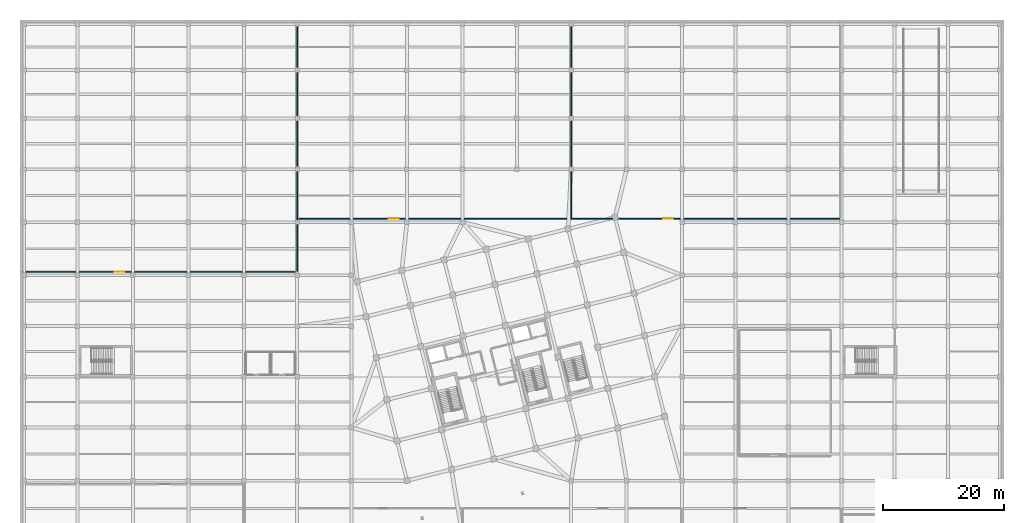
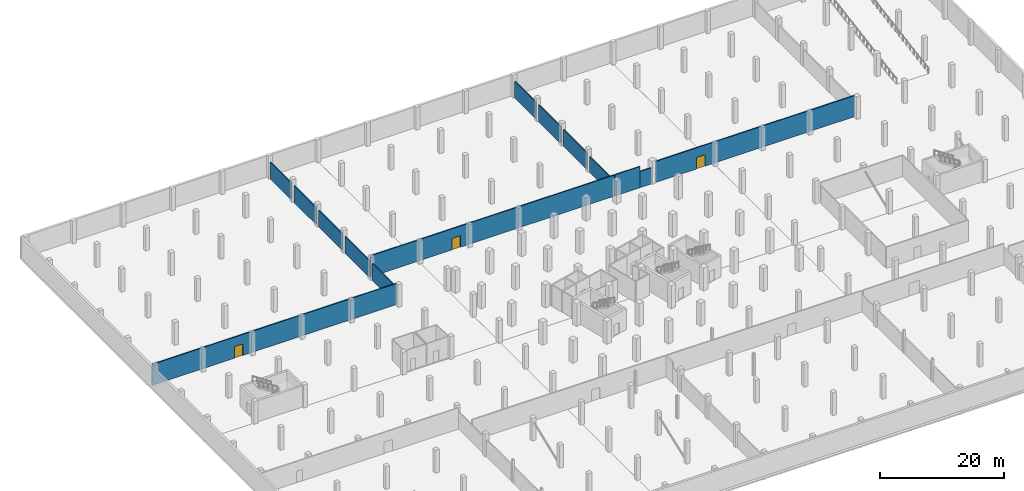
# One storey, part 24 of 31: 14 walls, 3 doors, 3 openings.
"""IFC4 building model written with IfcOpenShell, lengths in metres."""

from ifc_helpers import new_model, si_unit, direction, frame, frame_2d, origin, place, context, subcontext, project, spatial, rectangle, extrude, material, layer, layer_set, type_object, element, fill, save


model = new_model("IFC4")

# Units and contexts
model_context = context("Model", 3, precision=1e-05, world=origin(), true_north=direction((0.0, 1.0)))
body_context = subcontext(model_context, "Body", "Model", "MODEL_VIEW")
ifc_project = project(units=[si_unit("LENGTHUNIT", "METRE"), si_unit("AREAUNIT", "SQUARE_METRE"), si_unit("VOLUMEUNIT", "CUBIC_METRE"), si_unit("PLANEANGLEUNIT", "RADIAN"), si_unit("MASSUNIT", "GRAM", prefix="KILO")], contexts=[model_context])

# Site, building, storey
site_placement = place(None, origin())
site = spatial("IfcSite", under=ifc_project, at=site_placement, CompositionType="ELEMENT")
building_placement = place(site_placement, origin())
building = spatial("IfcBuilding", under=site, at=building_placement, Name="Meriwether Solvik Hall", CompositionType="ELEMENT")
storey_placement = place(building_placement, frame((0.0, 0.0, -4.5)))
storey = spatial("IfcBuildingStorey", under=building, at=storey_placement, Name="B01", CompositionType="ELEMENT", Elevation=-4.5)

# Wall, opening, door
ifc_material_1 = material(Name="Grouted Concrete Masonry Unit Block", Category="masonry")
ifc_layer = layer(ifc_material_1, 0.18994140625)
ifc_layer_set = layer_set([ifc_layer], Name="Grouted Concrete Masonry Unit Block")
wall_type = type_object("IfcWallType", Name="WALL-CMU-190", PredefinedType="STANDARD", material=ifc_layer_set)
wall_1_placement = place(storey_placement, frame((4.919921875, 75.800048828125, 0.0), z_axis=(0.0, 0.0, 1.0), x_axis=(1.0, 0.0, 0.0)))
wall_1 = element("IfcWall", 1, at=wall_1_placement, inside=storey, type_object=wall_type, Name="B01 Interior Partition nw_park_s", PredefinedType="STANDARD", context=body_context, shape_type="SweptSolid", body=[
    extrude(rectangle(XDim=45.47998046875, YDim=0.18994140625, at=frame_2d((22.739990234375, 0.0))), origin(), (0.0, 0.0, 1.0), 4.139892578125),
])
opening_1_placement = place(wall_1_placement, frame((15.248779296875, 0.0, 0.0)))
opening_1 = element("IfcOpeningElement", 2, at=opening_1_placement, cuts=wall_1, Name="Opening D-144", PredefinedType="OPENING", context=body_context, shape_type="SweptSolid", body=[
    extrude(rectangle(XDim=1.60009765625, YDim=2.25, at=frame_2d((0.800048828125, 1.125))), frame((0.0, 0.10693359375, 0.0), z_axis=(0.0, -1.0, 0.0), x_axis=(1.0, 0.0, 0.0)), (0.0, 0.0, 1.0), 0.2138671875),
])
ifc_material_2 = material(Name="Steel A36 Galvanised", Category="steel")
door_type = type_object("IfcDoorType", Name="DR-FD60-1600", OperationType="DOUBLE_DOOR_SINGLE_SWING", PredefinedType="DOOR", material=ifc_material_2)
door_1_placement = place(opening_1_placement, origin())
door_1 = element("IfcDoor", 3, at=door_1_placement, inside=storey, type_object=door_type, Name="Northwest Underground Parking Bay Door", OperationType="DOUBLE_DOOR_SINGLE_SWING", OverallHeight=2.25, OverallWidth=1.60009765625, PredefinedType="DOOR", context=body_context, shape_type="SweptSolid", body=[
    extrude(rectangle(XDim=1.60009765625, YDim=2.25, at=frame_2d((0.800048828125, 1.125))), frame((0.0, 0.02490234375, 0.0), z_axis=(0.0, -1.0, 0.0), x_axis=(1.0, 0.0, 0.0)), (0.0, 0.0, 1.0), 0.050048828125),
])
fill(opening_1, door_1)

# Walls
wall_2_placement = place(storey_placement, frame((50.39990234375, 75.919921875, 0.0), z_axis=(0.0, 0.0, 1.0), x_axis=(0.0, 1.0, 0.0)))
element("IfcWall", 4, at=wall_2_placement, inside=storey, type_object=wall_type, Name="B01 Interior Partition nw_park_e", PredefinedType="STANDARD", context=body_context, shape_type="SweptSolid", body=[
    extrude(rectangle(XDim=7.64013671875, YDim=0.18994140625, at=frame_2d((3.820068359375, 0.0))), origin(), (0.0, 0.0, 1.0), 3.2900390625),
])
wall_3_placement = place(storey_placement, frame((50.39990234375, 84.43994140625, 0.0), z_axis=(0.0, 0.0, 1.0), x_axis=(0.0, 1.0, 0.0)))
element("IfcWall", 5, at=wall_3_placement, inside=storey, type_object=wall_type, Name="B01 Interior Partition nw_park_e_s2", PredefinedType="STANDARD", context=body_context, shape_type="SweptSolid", body=[
    extrude(rectangle(XDim=7.920166015625, YDim=0.18994140625, at=frame_2d((3.9599609375, 0.0))), origin(), (0.0, 0.0, 1.0), 3.2900390625),
])
wall_4_placement = place(storey_placement, frame((50.39990234375, 93.239990234375, 0.0), z_axis=(0.0, 0.0, 1.0), x_axis=(0.0, 1.0, 0.0)))
element("IfcWall", 6, at=wall_4_placement, inside=storey, type_object=wall_type, Name="B01 Interior Partition nw_park_e_s3", PredefinedType="STANDARD", context=body_context, shape_type="SweptSolid", body=[
    extrude(rectangle(XDim=7.52001953125, YDim=0.18994140625, at=frame_2d((3.760009765625, 0.0))), origin(), (0.0, 0.0, 1.0), 3.2900390625),
])
wall_5_placement = place(storey_placement, frame((50.39990234375, 101.639892578125, 0.0), z_axis=(0.0, 0.0, 1.0), x_axis=(0.0, 1.0, 0.0)))
element("IfcWall", 7, at=wall_5_placement, inside=storey, type_object=wall_type, Name="B01 Interior Partition nw_park_e_s4", PredefinedType="STANDARD", context=body_context, shape_type="SweptSolid", body=[
    extrude(rectangle(XDim=7.1201171875, YDim=0.18994140625, at=frame_2d((3.56005859375, 0.0))), origin(), (0.0, 0.0, 1.0), 3.2900390625),
])
wall_6_placement = place(storey_placement, frame((50.39990234375, 109.639892578125, 0.0), z_axis=(0.0, 0.0, 1.0), x_axis=(0.0, 1.0, 0.0)))
element("IfcWall", 8, at=wall_6_placement, inside=storey, type_object=wall_type, Name="B01 Interior Partition nw_park_e_s5", PredefinedType="STANDARD", context=body_context, shape_type="SweptSolid", body=[
    extrude(rectangle(XDim=6.72021484375, YDim=0.18994140625, at=frame_2d((3.360107421875, 0.0))), origin(), (0.0, 0.0, 1.0), 3.2900390625),
])

# Wall, opening, door
wall_7_placement = place(storey_placement, frame((50.52001953125, 84.60009765625, 0.0), z_axis=(0.0, 0.0, 1.0), x_axis=(1.0, 0.0, 0.0)))
wall_7 = element("IfcWall", 9, at=wall_7_placement, inside=storey, type_object=wall_type, Name="B01 Interior Partition nc_park_s", PredefinedType="STANDARD", context=body_context, shape_type="SweptSolid", body=[
    extrude(rectangle(XDim=45.280029296875, YDim=0.18994140625, at=frame_2d((22.64013671875, 0.0))), origin(), (0.0, 0.0, 1.0), 4.139892578125),
])
opening_2_placement = place(wall_7_placement, frame((15.101318359375, 0.0, 0.0)))
opening_2 = element("IfcOpeningElement", 10, at=opening_2_placement, cuts=wall_7, Name="Opening D-144", PredefinedType="OPENING", context=body_context, shape_type="SweptSolid", body=[
    extrude(rectangle(XDim=1.60009765625, YDim=2.25, at=frame_2d((0.800048828125, 1.125))), frame((0.0, 0.10693359375, 0.0), z_axis=(0.0, -1.0, 0.0), x_axis=(1.0, 0.0, 0.0)), (0.0, 0.0, 1.0), 0.2138671875),
])
door_2_placement = place(opening_2_placement, origin())
door_2 = element("IfcDoor", 11, at=door_2_placement, inside=storey, type_object=door_type, Name="North Central Underground Parking Stalls Door", OperationType="DOUBLE_DOOR_SINGLE_SWING", OverallHeight=2.25, OverallWidth=1.60009765625, PredefinedType="DOOR", context=body_context, shape_type="SweptSolid", body=[
    extrude(rectangle(XDim=1.60009765625, YDim=2.25, at=frame_2d((0.800048828125, 1.125))), frame((0.0, 0.02490234375, 0.0), z_axis=(0.0, -1.0, 0.0), x_axis=(1.0, 0.0, 0.0)), (0.0, 0.0, 1.0), 0.050048828125),
])
fill(opening_2, door_2)

# Walls
wall_8_placement = place(storey_placement, frame((95.800048828125, 84.719970703125, 0.0), z_axis=(0.0, 0.0, 1.0), x_axis=(0.0, 1.0, 0.0)))
element("IfcWall", 12, at=wall_8_placement, inside=storey, type_object=wall_type, Name="B01 Interior Partition nc_park_e", PredefinedType="STANDARD", context=body_context, shape_type="SweptSolid", body=[
    extrude(rectangle(XDim=7.64013671875, YDim=0.18994140625, at=frame_2d((3.820068359375, 0.0))), origin(), (0.0, 0.0, 1.0), 3.090087890625),
])
wall_9_placement = place(storey_placement, frame((95.800048828125, 93.239990234375, 0.0), z_axis=(0.0, 0.0, 1.0), x_axis=(0.0, 1.0, 0.0)))
element("IfcWall", 13, at=wall_9_placement, inside=storey, type_object=wall_type, Name="B01 Interior Partition nc_park_e_s2", PredefinedType="STANDARD", context=body_context, shape_type="SweptSolid", body=[
    extrude(rectangle(XDim=7.52001953125, YDim=0.18994140625, at=frame_2d((3.760009765625, 0.0))), origin(), (0.0, 0.0, 1.0), 3.2900390625),
])
wall_10_placement = place(storey_placement, frame((95.800048828125, 101.639892578125, 0.0), z_axis=(0.0, 0.0, 1.0), x_axis=(0.0, 1.0, 0.0)))
element("IfcWall", 14, at=wall_10_placement, inside=storey, type_object=wall_type, Name="B01 Interior Partition nc_park_e_s3", PredefinedType="STANDARD", context=body_context, shape_type="SweptSolid", body=[
    extrude(rectangle(XDim=7.1201171875, YDim=0.18994140625, at=frame_2d((3.56005859375, 0.0))), origin(), (0.0, 0.0, 1.0), 3.2900390625),
])
wall_11_placement = place(storey_placement, frame((95.800048828125, 109.639892578125, 0.0), z_axis=(0.0, 0.0, 1.0), x_axis=(0.0, 1.0, 0.0)))
element("IfcWall", 15, at=wall_11_placement, inside=storey, type_object=wall_type, Name="B01 Interior Partition nc_park_e_s4", PredefinedType="STANDARD", context=body_context, shape_type="SweptSolid", body=[
    extrude(rectangle(XDim=6.72021484375, YDim=0.18994140625, at=frame_2d((3.360107421875, 0.0))), origin(), (0.0, 0.0, 1.0), 3.2900390625),
])
wall_12_placement = place(storey_placement, frame((95.919921875, 84.60009765625, 0.0), z_axis=(0.0, 0.0, 1.0), x_axis=(1.0, 0.0, 0.0)))
element("IfcWall", 16, at=wall_12_placement, inside=storey, type_object=wall_type, Name="B01 Interior Partition ne_park_s", PredefinedType="STANDARD", context=body_context, shape_type="SweptSolid", body=[
    extrude(rectangle(XDim=4.68896484375, YDim=0.18994140625, at=frame_2d((2.344482421875, 0.0))), origin(), (0.0, 0.0, 1.0), 4.139892578125),
])
wall_13_placement = place(storey_placement, frame((100.60888671875, 84.60009765625, 0.0), z_axis=(0.0, 0.0, 1.0), x_axis=(1.0, 0.0, 0.0)))
element("IfcWall", 17, at=wall_13_placement, inside=storey, type_object=wall_type, Name="B01 Interior Partition ne_park_s_s2", PredefinedType="STANDARD", context=body_context, shape_type="SweptSolid", body=[
    extrude(rectangle(XDim=2.087646484375, YDim=0.18994140625, at=frame_2d((1.0439453125, 0.0))), origin(), (0.0, 0.0, 1.0), 3.18994140625),
])

# Wall, opening, door
wall_14_placement = place(storey_placement, frame((103.438720703125, 84.60009765625, 0.0), z_axis=(0.0, 0.0, 1.0), x_axis=(1.0, 0.0, 0.0)))
wall_14 = element("IfcWall", 18, at=wall_14_placement, inside=storey, type_object=wall_type, Name="B01 Interior Partition ne_park_s_s3", PredefinedType="STANDARD", context=body_context, shape_type="SweptSolid", body=[
    extrude(rectangle(XDim=36.961181640625, YDim=0.18994140625, at=frame_2d((18.48046875, 0.0))), origin(), (0.0, 0.0, 1.0), 4.139892578125),
])
opening_3_placement = place(wall_14_placement, frame((7.609130859375, 0.0, 0.0)))
opening_3 = element("IfcOpeningElement", 19, at=opening_3_placement, cuts=wall_14, Name="Opening D-144", PredefinedType="OPENING", context=body_context, shape_type="SweptSolid", body=[
    extrude(rectangle(XDim=1.60009765625, YDim=2.25, at=frame_2d((0.800048828125, 1.125))), frame((0.0, 0.10693359375, 0.0), z_axis=(0.0, -1.0, 0.0), x_axis=(1.0, 0.0, 0.0)), (0.0, 0.0, 1.0), 0.2138671875),
])
door_3_placement = place(opening_3_placement, origin())
door_3 = element("IfcDoor", 20, at=door_3_placement, inside=storey, type_object=door_type, Name="Northeast Underground Parking Bay Door", OperationType="DOUBLE_DOOR_SINGLE_SWING", OverallHeight=2.25, OverallWidth=1.60009765625, PredefinedType="DOOR", context=body_context, shape_type="SweptSolid", body=[
    extrude(rectangle(XDim=1.60009765625, YDim=2.25, at=frame_2d((0.800048828125, 1.125))), frame((0.0, 0.02490234375, 0.0), z_axis=(0.0, -1.0, 0.0), x_axis=(1.0, 0.0, 0.0)), (0.0, 0.0, 1.0), 0.050048828125),
])
fill(opening_3, door_3)

save(model, "model.ifc")
